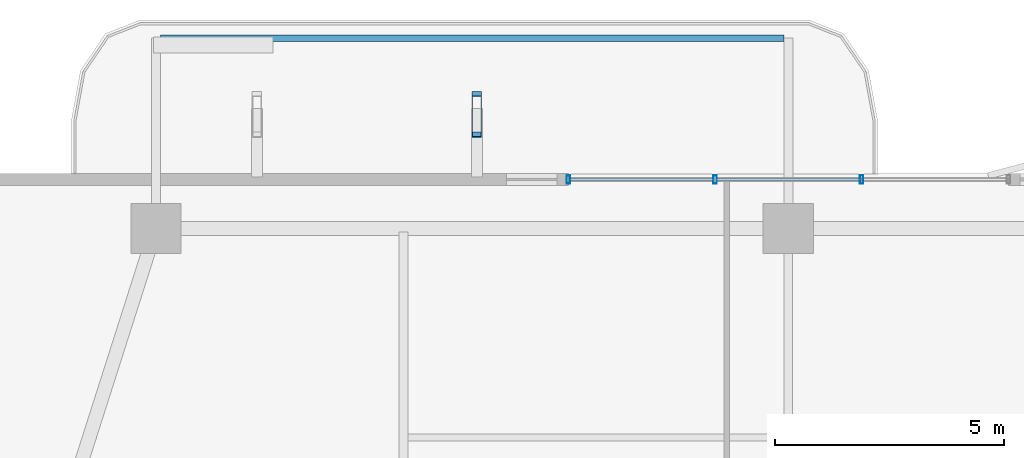
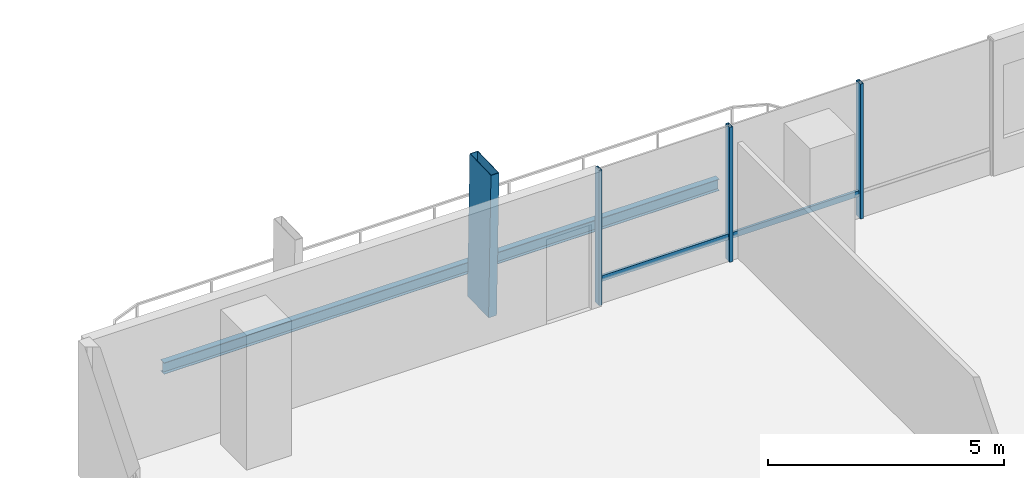
# One storey, part 13 of 23: 6 members, 1 beam, 1 element without a shape of its own.
"""IFC4 building model written with IfcOpenShell, lengths in metres."""

from ifc_helpers import new_model, si_unit, direction, frame, origin, origin_2d, place, context, subcontext, project, spatial, hollow_rectangle, i_section, extrude, material, layer, layer_set, material_profile, profile_set, type_object, element, aggregate, save


model = new_model("IFC4")

# Units and contexts
model_context = context("Model", 3, precision=1e-05, world=origin(), true_north=direction((0.0, 1.0)))
body_context = subcontext(model_context, "Body", "Model", "MODEL_VIEW")
ifc_project = project(units=[si_unit("LENGTHUNIT", "METRE"), si_unit("AREAUNIT", "SQUARE_METRE"), si_unit("VOLUMEUNIT", "CUBIC_METRE"), si_unit("PLANEANGLEUNIT", "RADIAN"), si_unit("MASSUNIT", "GRAM", prefix="KILO")], contexts=[model_context])

# Site, building, storey
site_placement = place(None, origin())
site = spatial("IfcSite", under=ifc_project, at=site_placement, CompositionType="ELEMENT")
building_placement = place(site_placement, origin())
building = spatial("IfcBuilding", under=site, at=building_placement, Name="Belovzor Exchange Tower", CompositionType="ELEMENT")
storey_placement = place(building_placement, frame((0.0, 0.0, 157.050048828125)))
storey = spatial("IfcBuildingStorey", under=building, at=storey_placement, Name="L38", CompositionType="ELEMENT", Elevation=157.050048828125)

# Beam
ifc_material_1 = material(Name="Steel S355", Category="steel")
ifc_material_profile_1 = material_profile(ifc_material_1, i_section(OverallWidth=0.14990234375, OverallDepth=0.300048828125, WebThickness=0.007080078125, FlangeThickness=0.0107421875, at=origin_2d()))
ifc_profile_set_1 = profile_set([ifc_material_profile_1], Name="Steel S355")
beam_type = type_object("IfcBeamType", Name="Planted Balcony Fascia Edge Beam IPE 300", PredefinedType="BEAM", material=ifc_profile_set_1)
beam_placement = place(storey_placement, frame((28.699951171875, 56.052978515625, -0.405029296875), z_axis=(-1.0, 0.0, 0.0), x_axis=(0.0, -1.0, 0.0)))
element("IfcBeam", 1, at=beam_placement, inside=storey, type_object=beam_type, Name="BC-300 Planted Balcony Fascia Edge Beam IPE 300", PredefinedType="BEAM", context=body_context, shape_type="SweptSolid", body=[
    extrude(i_section(OverallWidth=0.14990234375, OverallDepth=0.300048828125, WebThickness=0.007080078125, FlangeThickness=0.0107421875, at=origin_2d()), origin(), (0.0, 0.0, 1.0), 13.599853515625),
])

# Member
ifc_material_2 = material(Name="Extruded Architectural Terracotta on Steel S355 Carrier", Category="masonry")
ifc_material_profile_2 = material_profile(ifc_material_2, hollow_rectangle(XDim=0.199951171875, YDim=0.89990234375, WallThickness=0.011962890625, at=origin_2d()))
ifc_profile_set_2 = profile_set([ifc_material_profile_2], Name="Extruded Architectural Terracotta on Steel S355 Carrier")
member_type_1 = type_object("IfcMemberType", Name="Sweeping Terracotta Baguette Fin Assembly 1250", PredefinedType="USERDEFINED", material=ifc_profile_set_2)
member_1_placement = place(storey_placement, frame((22.0, 54.443115234375, -0.255126953125), z_axis=(0.0, -0.027203470401, 0.999629917118), x_axis=(1.0, 0.0, 0.0)))
element("IfcMember", 2, at=member_1_placement, inside=storey, type_object=member_type_1, Name="FIN-TC125 Terracotta Facade Fin L38 N2", ObjectType="FIN", PredefinedType="USERDEFINED", context=body_context, shape_type="SweptSolid", body=[
    extrude(hollow_rectangle(XDim=0.199951171875, YDim=0.89990234375, WallThickness=0.011962890625, at=origin_2d()), origin(), (0.0, 0.0, 1.0), 3.75146484375),
])

# Curtain wall, members
ifc_material_3 = material(Name="Anodised Aluminium Framing", Category="aluminium")
ifc_layer = layer(ifc_material_3, 0.179931640625)
ifc_layer_set = layer_set([ifc_layer], Name="Anodised Aluminium Framing")
curtain_wall_type = type_object("IfcCurtainWallType", Name="Recessed Loggia Low-Iron Triple-Glazed Curtain Wall", PredefinedType="NOTDEFINED", material=ifc_layer_set)
curtain_wall_placement = place(storey_placement, origin())
curtain_wall = element("IfcCurtainWall", 3, at=curtain_wall_placement, inside=storey, type_object=curtain_wall_type, Name="CW3 Recessed Loggia Low-Iron Triple-Glazed Curtain Wall L38", PredefinedType="NOTDEFINED")
ifc_material_4 = material(Name="Steel S355", Category="steel")
ifc_material_profile_3 = material_profile(ifc_material_4, hollow_rectangle(XDim=0.074951171875, YDim=0.179931640625, WallThickness=0.0048828125, at=origin_2d()))
ifc_profile_set_3 = profile_set([ifc_material_profile_3], Name="Steel S355")
member_type_2 = type_object("IfcMemberType", Name="Thermally Broken Curtain Wall Mullion 180x75", PredefinedType="MULLION", material=ifc_profile_set_3)
member_2_placement = place(storey_placement, frame((24.0, 52.969970703125, 0.0), z_axis=(0.0, 0.0, 1.0), x_axis=(1.0, 0.0, 0.0)))
member_2 = element("IfcMember", 4, at=member_2_placement, type_object=member_type_2, Name="CW-M180 Curtain Wall Mullion 1", PredefinedType="MULLION", context=body_context, shape_type="SweptSolid", body=[
    extrude(hollow_rectangle(XDim=0.074951171875, YDim=0.179931640625, WallThickness=0.0048828125, at=origin_2d()), origin(), (0.0, 0.0, 1.0), 3.494873046875),
])
member_3_placement = place(storey_placement, frame((27.199951171875, 52.969970703125, 0.0), z_axis=(0.0, 0.0, 1.0), x_axis=(1.0, 0.0, 0.0)))
member_3 = element("IfcMember", 5, at=member_3_placement, type_object=member_type_2, Name="CW-M180 Curtain Wall Mullion 2", PredefinedType="MULLION", context=body_context, shape_type="SweptSolid", body=[
    extrude(hollow_rectangle(XDim=0.074951171875, YDim=0.179931640625, WallThickness=0.0048828125, at=origin_2d()), origin(), (0.0, 0.0, 1.0), 3.494873046875),
])
member_4_placement = place(storey_placement, frame((30.39990234375, 52.969970703125, 0.0), z_axis=(0.0, 0.0, 1.0), x_axis=(1.0, 0.0, 0.0)))
member_4 = element("IfcMember", 6, at=member_4_placement, type_object=member_type_2, Name="CW-M180 Curtain Wall Mullion 3", PredefinedType="MULLION", context=body_context, shape_type="SweptSolid", body=[
    extrude(hollow_rectangle(XDim=0.074951171875, YDim=0.179931640625, WallThickness=0.0048828125, at=origin_2d()), origin(), (0.0, 0.0, 1.0), 3.494873046875),
])
ifc_material_5 = material(Name="Steel S355", Category="steel")
ifc_material_profile_4 = material_profile(ifc_material_5, hollow_rectangle(XDim=0.06005859375, YDim=0.14990234375, WallThickness=0.00390625, at=origin_2d()))
ifc_profile_set_4 = profile_set([ifc_material_profile_4], Name="Steel S355")
member_type_3 = type_object("IfcMemberType", Name="Thermally Broken Curtain Wall Transom 150x60", PredefinedType="USERDEFINED", material=ifc_profile_set_4)
member_5_placement = place(storey_placement, frame((24.008056640625, 52.969970703125, 0.62890625), z_axis=(1.0, 0.0, 0.0), x_axis=(0.0, 1.0, 0.0)))
member_5 = element("IfcMember", 7, at=member_5_placement, type_object=member_type_3, Name="CW-T150 Curtain Wall Transom 1", ObjectType="TRANSOM", PredefinedType="USERDEFINED", context=body_context, shape_type="SweptSolid", body=[
    extrude(hollow_rectangle(XDim=0.06005859375, YDim=0.14990234375, WallThickness=0.00390625, at=origin_2d()), origin(), (0.0, 0.0, 1.0), 3.183837890625),
])
member_6_placement = place(storey_placement, frame((27.2080078125, 52.969970703125, 0.62890625), z_axis=(1.0, 0.0, 0.0), x_axis=(0.0, 1.0, 0.0)))
member_6 = element("IfcMember", 8, at=member_6_placement, type_object=member_type_3, Name="CW-T150 Curtain Wall Transom 2", ObjectType="TRANSOM", PredefinedType="USERDEFINED", context=body_context, shape_type="SweptSolid", body=[
    extrude(hollow_rectangle(XDim=0.06005859375, YDim=0.14990234375, WallThickness=0.00390625, at=origin_2d()), origin(), (0.0, 0.0, 1.0), 3.18408203125),
])
aggregate(curtain_wall, [member_2, member_3, member_4, member_5, member_6])

save(model, "model.ifc")
